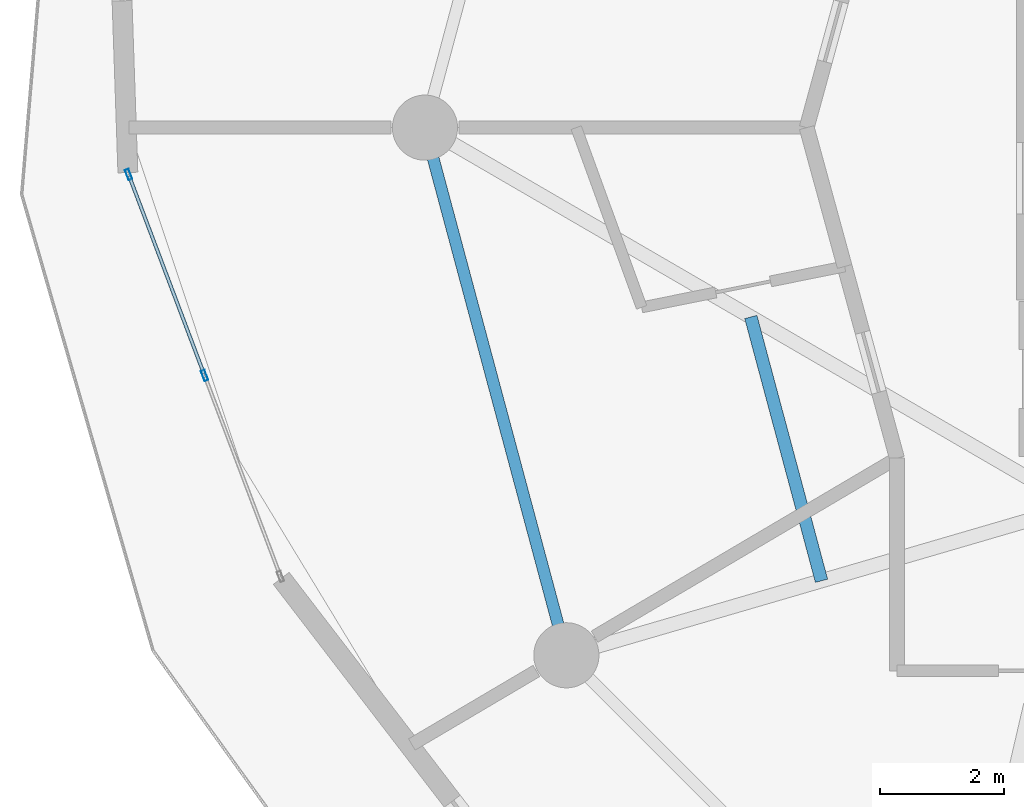
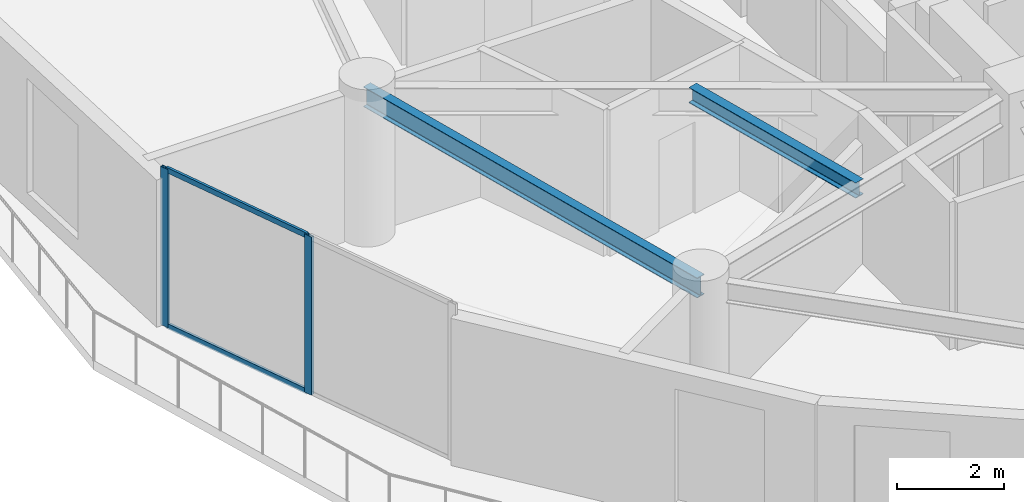
# One storey, part 6 of 25: 4 members, 2 beams, 1 element without a shape of its own.
"""IFC4 building model written with IfcOpenShell, lengths in metres."""

from ifc_helpers import new_model, si_unit, direction, frame, origin, origin_2d, place, context, subcontext, project, spatial, hollow_rectangle, i_section, extrude, source, transform, mapped, material, layer, layer_set, material_profile, profile_set, type_object, element, aggregate, save


model = new_model("IFC4")

# Units and contexts
model_context = context("Model", 3, precision=1e-05, world=origin(), true_north=direction((0.0, 1.0)))
body_context = subcontext(model_context, "Body", "Model", "MODEL_VIEW")
ifc_project = project(units=[si_unit("LENGTHUNIT", "METRE"), si_unit("AREAUNIT", "SQUARE_METRE"), si_unit("VOLUMEUNIT", "CUBIC_METRE"), si_unit("PLANEANGLEUNIT", "RADIAN"), si_unit("MASSUNIT", "GRAM", prefix="KILO")], contexts=[model_context])

# Site, building, storey
site_placement = place(None, origin())
site = spatial("IfcSite", under=ifc_project, at=site_placement, CompositionType="ELEMENT")
building_placement = place(site_placement, origin())
building = spatial("IfcBuilding", under=site, at=building_placement, Name="Solvirekh Grand Hotel", CompositionType="ELEMENT")
storey_placement = place(building_placement, frame((0.0, 0.0, 106.199951171875)))
storey = spatial("IfcBuildingStorey", under=building, at=storey_placement, Name="L26", CompositionType="ELEMENT", Elevation=106.199951171875)

# Beams
ifc_material_1 = material(Name="Steel S355", Category="steel")
ifc_material_profile_1 = material_profile(ifc_material_1, i_section(OverallWidth=0.2041015625, OverallDepth=0.35009765625, WebThickness=0.009033203125, FlangeThickness=0.014892578125, FilletRadius=0.010986328125, at=origin_2d()), Name="W360X72")
ifc_profile_set_1 = profile_set([ifc_material_profile_1], Name="Steel S355")
beam_type_1 = type_object("IfcBeamType", Name="Joist_Floor_W360", PredefinedType="JOIST", material=ifc_profile_set_1)
beam_1_placement = place(storey_placement, frame((-11.75, -3.050048828125, 3.175048828125), z_axis=(0.258847024572, -0.965918328778, 0.0), x_axis=(0.965918328778, 0.258847024572, 0.0)))
element("IfcBeam", 1, at=beam_1_placement, inside=storey, type_object=beam_type_1, Name="L26 secondary composite floor joist 7", PredefinedType="JOIST", context=body_context, shape_type="SweptSolid", body=[
    extrude(i_section(OverallWidth=0.2041015625, OverallDepth=0.35009765625, WebThickness=0.009033203125, FlangeThickness=0.014892578125, FilletRadius=0.010986328125, at=origin_2d()), origin(), (0.0, 0.0, 1.0), 4.39990234375),
])
ifc_material_profile_2 = material_profile(ifc_material_1, i_section(OverallWidth=0.18994140625, OverallDepth=0.45703125, WebThickness=0.009033203125, FlangeThickness=0.013916015625, FilletRadius=0.012939453125, at=origin_2d()), Name="W460X74")
ifc_profile_set_2 = profile_set([ifc_material_profile_2], Name="Steel S355")
beam_type_2 = type_object("IfcBeamType", Name="Spandrel_Ring_W460", PredefinedType="SPANDREL", material=ifc_profile_set_2)
beam_2_placement = place(storey_placement, frame((-17.0, 0.0, 3.1220703125), z_axis=(0.258872908946, -0.965911391906, 0.0), x_axis=(0.965911391906, 0.258872908946, 0.0)))
element("IfcBeam", 2, at=beam_2_placement, inside=storey, type_object=beam_type_2, Name="L26 perimeter spandrel beam 7", PredefinedType="SPANDREL", context=body_context, shape_type="SweptSolid", body=[
    extrude(i_section(OverallWidth=0.18994140625, OverallDepth=0.45703125, WebThickness=0.009033203125, FlangeThickness=0.013916015625, FilletRadius=0.012939453125, at=origin_2d()), origin(), (0.0, 0.0, 1.0), 8.800048828125),
])

# Curtain wall, members
ifc_material_2 = material(Name="Anodized Bronze Aluminium 6063-T6", Category="aluminium")
ifc_layer = layer(ifc_material_2, 0.175048828125)
ifc_layer_set = layer_set([ifc_layer], Name="Anodized Bronze Aluminium 6063-T6")
curtain_wall_type = type_object("IfcCurtainWallType", Name="CW_Sys3_MidZoneFlushBronzeCW", PredefinedType="NOTDEFINED", material=ifc_layer_set)
curtain_wall_placement = place(storey_placement, origin())
curtain_wall = element("IfcCurtainWall", 3, at=curtain_wall_placement, inside=storey, type_object=curtain_wall_type, Name="L26 unitised bronze-glass curtain wall CW-L26-C13", PredefinedType="NOTDEFINED")
ifc_material_profile_3 = material_profile(ifc_material_2, hollow_rectangle(XDim=0.054931640625, YDim=0.1201171875, WallThickness=0.00390625, at=origin_2d()), Name="ALU RHS 120X55X4")
ifc_profile_set_3 = profile_set([ifc_material_profile_3], Name="Anodized Bronze Aluminium 6063-T6")
member_type_1 = type_object("IfcMemberType", Name="CWTransom_Sys3", PredefinedType="USERDEFINED", material=ifc_profile_set_3)
shared_shape_1 = source(origin(), body_context, "Body", "SweptSolid", [
    extrude(hollow_rectangle(XDim=0.054931640625, YDim=0.1201171875, WallThickness=0.00390625, at=origin_2d()), origin(), (0.0, 0.0, 1.0), 3.397216796875),
])
member_1_placement = place(storey_placement, frame((-21.762939453125, -0.78369140625, 0.027587890625), z_axis=(0.353492802233, -0.935437244699, 0.0), x_axis=(0.935437244699, 0.353492802233, 0.0)))
member_1 = element("IfcMember", 4, at=member_1_placement, type_object=member_type_1, Name="U03 transom 1.1", ObjectType="TRANSOM", PredefinedType="USERDEFINED", context=body_context, shape_type="MappedRepresentation", body=[
    mapped(shared_shape_1, transform((0.0, 0.0, 0.0), x_axis=(1.0, 0.0, 0.0), y_axis=(0.0, 1.0, 0.0), z_axis=(0.0, 0.0, 1.0), scale=1.0)),
])
member_2_placement = place(storey_placement, frame((-21.762939453125, -0.78369140625, 3.572509765625), z_axis=(0.353492802233, -0.935437244699, 0.0), x_axis=(0.935437244699, 0.353492802233, 0.0)))
member_2 = element("IfcMember", 5, at=member_2_placement, type_object=member_type_1, Name="U03 transom 1.2", ObjectType="TRANSOM", PredefinedType="USERDEFINED", context=body_context, shape_type="MappedRepresentation", body=[
    mapped(shared_shape_1, transform((0.0, 0.0, 0.0), x_axis=(1.0, 0.0, 0.0), y_axis=(0.0, 1.0, 0.0), z_axis=(0.0, 0.0, 1.0), scale=1.0)),
])
ifc_material_profile_4 = material_profile(ifc_material_2, hollow_rectangle(XDim=0.06494140625, YDim=0.175048828125, WallThickness=0.0048828125, at=origin_2d()), Name="ALU RHS 175X65X5")
ifc_profile_set_4 = profile_set([ifc_material_profile_4], Name="Anodized Bronze Aluminium 6063-T6")
member_type_2 = type_object("IfcMemberType", Name="CWMullion_Sys3", PredefinedType="MULLION", material=ifc_profile_set_4)
shared_shape_2 = source(origin(), body_context, "Body", "SweptSolid", [
    extrude(hollow_rectangle(XDim=0.06494140625, YDim=0.175048828125, WallThickness=0.0048828125, at=origin_2d()), origin(), (0.0, 0.0, 1.0), 3.60009765625),
])
member_3_placement = place(storey_placement, frame((-21.7744140625, -0.75341796875, 0.0), z_axis=(0.0, 0.0, 1.0), x_axis=(0.935420579411, 0.353536899934, 0.0)))
member_3 = element("IfcMember", 6, at=member_3_placement, type_object=member_type_2, Name="U03 mullion 1", PredefinedType="MULLION", context=body_context, shape_type="MappedRepresentation", body=[
    mapped(shared_shape_2, transform((0.0, 0.0, 0.0), x_axis=(1.0, 0.0, 0.0), y_axis=(0.0, 1.0, 0.0), z_axis=(0.0, 0.0, 1.0), scale=1.0)),
])
member_4_placement = place(storey_placement, frame((-20.550537109375, -3.991943359375, 0.0), z_axis=(0.0, 0.0, 1.0), x_axis=(0.935420579411, 0.353536899934, 0.0)))
member_4 = element("IfcMember", 7, at=member_4_placement, type_object=member_type_2, Name="U03 mullion 2", PredefinedType="MULLION", context=body_context, shape_type="MappedRepresentation", body=[
    mapped(shared_shape_2, transform((0.0, 0.0, 0.0), x_axis=(1.0, 0.0, 0.0), y_axis=(0.0, 1.0, 0.0), z_axis=(0.0, 0.0, 1.0), scale=1.0)),
])
aggregate(curtain_wall, [member_3, member_4, member_1, member_2])

save(model, "model.ifc")
